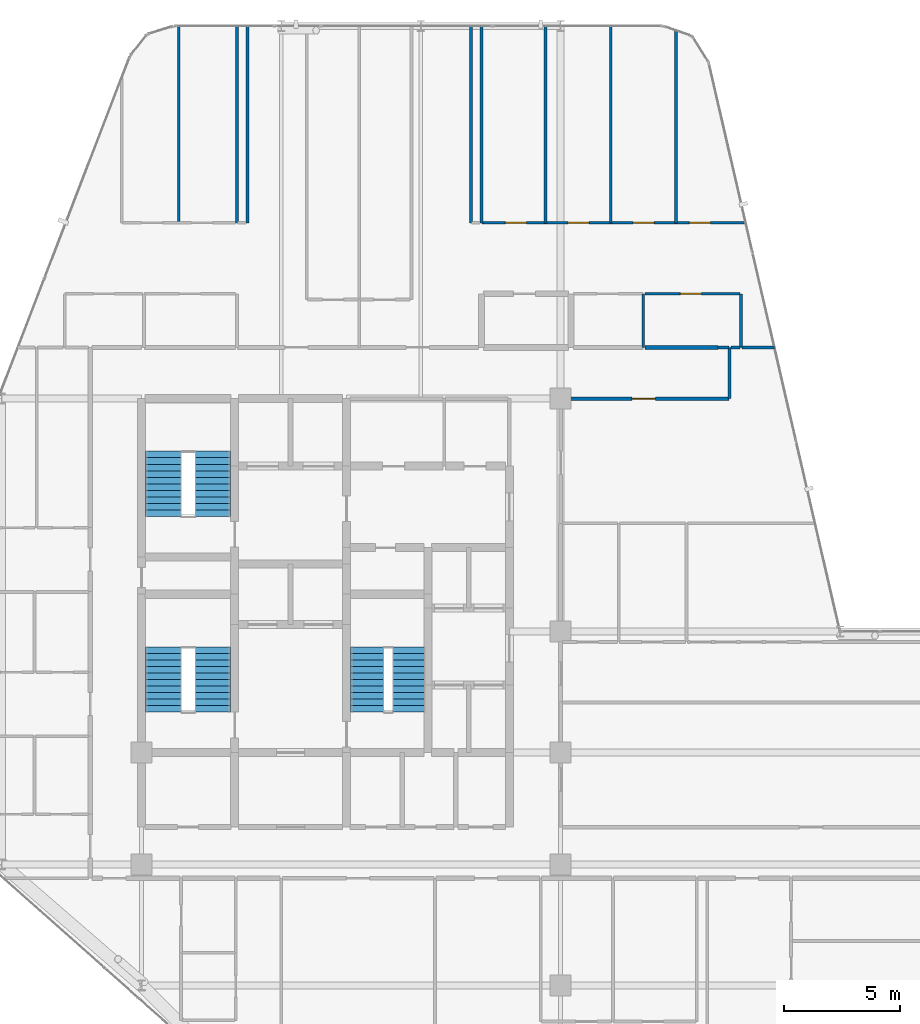
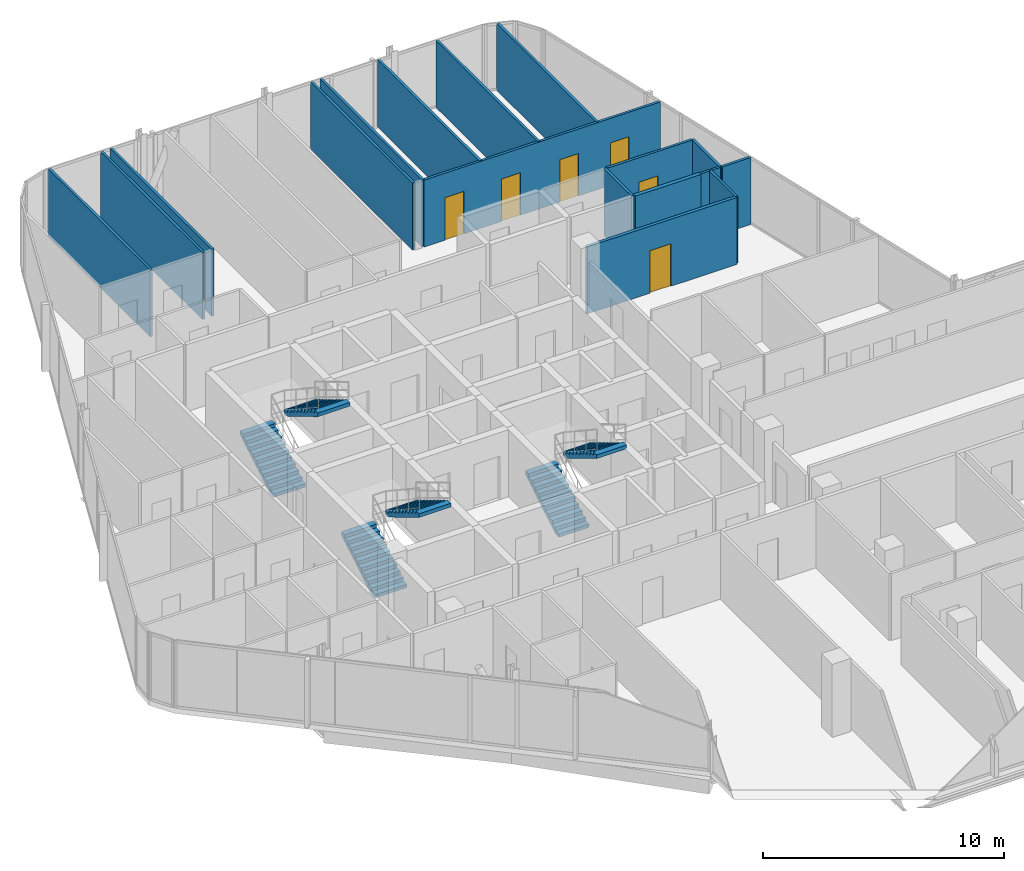
# One storey, part 28 of 29: 18 walls, 6 doors, 6 stair flights, 6 openings, 3 elements without a shape of their own.
"""IFC4 building model written with IfcOpenShell, lengths in metres."""

from ifc_helpers import new_model, si_unit, direction, frame, frame_2d, origin, place, context, subcontext, project, spatial, polyline, rectangle, outline, extrude, material, layer, layer_set, type_object, element, fill, aggregate, save


model = new_model("IFC4")

# Units and contexts
model_context = context("Model", 3, precision=1e-05, world=origin(), true_north=direction((0.0, 1.0)))
body_context = subcontext(model_context, "Body", "Model", "MODEL_VIEW")
ifc_project = project(units=[si_unit("LENGTHUNIT", "METRE"), si_unit("AREAUNIT", "SQUARE_METRE"), si_unit("VOLUMEUNIT", "CUBIC_METRE"), si_unit("PLANEANGLEUNIT", "RADIAN"), si_unit("MASSUNIT", "GRAM", prefix="KILO")], contexts=[model_context])

# Site, building, storey
site_placement = place(None, origin())
site = spatial("IfcSite", under=ifc_project, at=site_placement, CompositionType="ELEMENT")
building_placement = place(site_placement, origin())
building = spatial("IfcBuilding", under=site, at=building_placement, Name="Keshet Zoharim Tower", CompositionType="ELEMENT")
storey_placement = place(building_placement, frame((0.0, 0.0, 203.199951171875)))
storey = spatial("IfcBuildingStorey", under=building, at=storey_placement, Name="L50", CompositionType="ELEMENT", Elevation=203.199951171875)

# Wall, opening, door
ifc_material_1 = material(Name="Gypsum Plasterboard", Category="gypsum")
ifc_layer_1 = layer(ifc_material_1, 0.14990234375)
ifc_layer_set_1 = layer_set([ifc_layer_1], Name="Gypsum Plasterboard")
wall_type_1 = type_object("IfcWallType", Name="WL-CLIN-150", PredefinedType="STANDARD", material=ifc_layer_set_1)
wall_1_placement = place(storey_placement, frame((33.06005859375, 37.89990234375, 0.0), z_axis=(0.0, 0.0, 1.0), x_axis=(1.0, 0.0, 0.0)))
wall_1 = element("IfcWall", 1, at=wall_1_placement, inside=storey, type_object=wall_type_1, Name="L50 Interior Wall 171", PredefinedType="STANDARD", context=body_context, shape_type="SweptSolid", body=[
    extrude(rectangle(XDim=7.1640625, YDim=0.14990234375, at=frame_2d((3.58203125, 0.0))), origin(), (0.0, 0.0, 1.0), 3.39013671875),
])
opening_1_placement = place(wall_1_placement, frame((3.00390625, 0.0, 0.0)))
opening_1 = element("IfcOpeningElement", 2, at=opening_1_placement, cuts=wall_1, Name="Opening D-F310", PredefinedType="OPENING", context=body_context, shape_type="SweptSolid", body=[
    extrude(rectangle(XDim=1.0, YDim=2.14990234375, at=frame_2d((0.5, 1.074951171875))), frame((0.0, 0.0849609375, 0.0), z_axis=(0.0, -1.0, 0.0), x_axis=(1.0, 0.0, 0.0)), (0.0, 0.0, 1.0), 0.169921875),
])
ifc_material_2 = material(Name="Hardwood Timber", Category="wood")
door_type_1 = type_object("IfcDoorType", Name="DR-FD30-100", OperationType="NOTDEFINED", PredefinedType="DOOR", material=ifc_material_2)
door_1_placement = place(opening_1_placement, origin())
door_1 = element("IfcDoor", 3, at=door_1_placement, inside=storey, type_object=door_type_1, Name="L50 North West Residents Services Suite Door 1", OperationType="SINGLE_SWING_LEFT", OverallHeight=2.14990234375, OverallWidth=1.0, PredefinedType="DOOR", context=body_context, shape_type="SweptSolid", body=[
    extrude(rectangle(XDim=1.0, YDim=2.14990234375, at=frame_2d((0.5, 1.074951171875))), frame((0.0, 0.02490234375, 0.0), z_axis=(0.0, -1.0, 0.0), x_axis=(1.0, 0.0, 0.0)), (0.0, 0.0, 1.0), 0.050048828125),
])
fill(opening_1, door_1)

# Walls
ifc_layer_2 = layer(ifc_material_1, 0.179931640625)
ifc_layer_set_2 = layer_set([ifc_layer_2], Name="Gypsum Plasterboard")
wall_type_2 = type_object("IfcWallType", Name="WL-CORR-180", PredefinedType="STANDARD", material=ifc_layer_set_2)
wall_2_placement = place(storey_placement, frame((36.618896484375, 40.10009765625, 0.0), z_axis=(0.0, 0.0, 1.0), x_axis=(1.0, 0.0, 0.0)))
element("IfcWall", 4, at=wall_2_placement, inside=storey, type_object=wall_type_2, Name="L50 Interior Wall 180", PredefinedType="STANDARD", context=body_context, shape_type="SweptSolid", body=[
    extrude(rectangle(XDim=3.14404296875, YDim=0.179931640625, at=frame_2d((1.572021484375, 0.0))), origin(), (0.0, 0.0, 1.0), 3.39013671875),
])
ifc_layer_3 = layer(ifc_material_1, 0.1201171875)
ifc_layer_set_3 = layer_set([ifc_layer_3], Name="Gypsum Plasterboard")
wall_type_3 = type_object("IfcWallType", Name="WL-PART-120", PredefinedType="PARTITIONING", material=ifc_layer_set_3)
for number, where, z_axis, x_axis, name in (
    (5, (16.60009765625, 45.449951171875, 0.0), (0.0, 0.0, 1.0), (0.0, 1.0, 0.0), "L50 Interior Wall 020"),
    (6, (19.10009765625, 45.449951171875, 0.0), (0.0, 0.0, 1.0), (0.0, 1.0, 0.0), "L50 Interior Wall 031"),
    (7, (19.550048828125, 45.449951171875, 0.0), (0.0, 0.0, 1.0), (0.0, 1.0, 0.0), "L50 Interior Wall 032"),
    (8, (29.14990234375, 45.449951171875, 0.0), (0.0, 0.0, 1.0), (0.0, 1.0, 0.0), "L50 Interior Wall 057"),
    (9, (29.60009765625, 45.449951171875, 0.0), (0.0, 0.0, 1.0), (0.0, 1.0, 0.0), "L50 Interior Wall 059"),
    (10, (32.35009765625, 45.449951171875, 0.0), (0.0, 0.0, 1.0), (0.0, 1.0, 0.0), "L50 Interior Wall 069"),
    (11, (35.14990234375, 45.449951171875, 0.0), (0.0, 0.0, 1.0), (0.0, 1.0, 0.0), "L50 Interior Wall 075"),
):
    element("IfcWall", number, at=place(storey_placement, frame(where, z_axis=z_axis, x_axis=x_axis)), inside=storey, type_object=wall_type_3, Name=name, PredefinedType="PARTITIONING", context=body_context, shape_type="SweptSolid", body=[
        extrude(rectangle(XDim=8.43994140625, YDim=0.1201171875, at=frame_2d((4.219970703125, 0.0))), origin(), (0.0, 0.0, 1.0), 3.39013671875),
    ])
wall_3_placement = place(storey_placement, frame((37.949951171875, 45.449951171875, 0.0), z_axis=(0.0, 0.0, 1.0), x_axis=(0.0, 1.0, 0.0)))
element("IfcWall", 12, at=wall_3_placement, inside=storey, type_object=wall_type_3, Name="L50 Interior Wall 080", PredefinedType="PARTITIONING", context=body_context, shape_type="SweptSolid", body=[
    extrude(rectangle(XDim=8.2509765625, YDim=0.1201171875, at=frame_2d((4.12548828125, 0.0))), origin(), (0.0, 0.0, 1.0), 3.39013671875),
])
wall_4_placement = place(storey_placement, frame((40.25, 37.89990234375, 0.0), z_axis=(0.0, 0.0, 1.0), x_axis=(0.0, 1.0, 0.0)))
element("IfcWall", 13, at=wall_4_placement, inside=storey, type_object=wall_type_3, Name="L50 Interior Wall 085", PredefinedType="PARTITIONING", context=body_context, shape_type="SweptSolid", body=[
    extrude(rectangle(XDim=2.2001953125, YDim=0.1201171875, at=frame_2d((1.10009765625, 0.0))), origin(), (0.0, 0.0, 1.0), 3.39013671875),
])
wall_5_placement = place(storey_placement, frame((40.75, 40.10009765625, 0.0), z_axis=(0.0, 0.0, 1.0), x_axis=(0.0, 1.0, 0.0)))
element("IfcWall", 14, at=wall_5_placement, inside=storey, type_object=wall_type_3, Name="L50 Interior Wall 086", PredefinedType="PARTITIONING", context=body_context, shape_type="SweptSolid", body=[
    extrude(rectangle(XDim=2.2998046875, YDim=0.1201171875, at=frame_2d((1.14990234375, 0.0))), origin(), (0.0, 0.0, 1.0), 3.39013671875),
])
wall_6_placement = place(storey_placement, frame((39.762939453125, 40.10009765625, 0.0), z_axis=(0.0, 0.0, 1.0), x_axis=(1.0, 0.0, 0.0)))
element("IfcWall", 15, at=wall_6_placement, inside=storey, type_object=wall_type_3, Name="L50 Interior Wall 181", PredefinedType="PARTITIONING", context=body_context, shape_type="SweptSolid", body=[
    extrude(rectangle(XDim=0.462158203125, YDim=0.1201171875, at=frame_2d((0.23095703125, 0.0))), origin(), (0.0, 0.0, 1.0), 3.39013671875),
])
wall_7_placement = place(storey_placement, frame((40.31494140625, 40.10009765625, 0.0), z_axis=(0.0, 0.0, 1.0), x_axis=(1.0, 0.0, 0.0)))
element("IfcWall", 16, at=wall_7_placement, inside=storey, type_object=wall_type_3, Name="L50 Interior Wall 182", PredefinedType="PARTITIONING", context=body_context, shape_type="SweptSolid", body=[
    extrude(rectangle(XDim=0.39208984375, YDim=0.1201171875, at=frame_2d((0.196044921875, 0.0))), origin(), (0.0, 0.0, 1.0), 3.39013671875),
])
wall_8_placement = place(storey_placement, frame((40.797119140625, 40.10009765625, 0.0), z_axis=(0.0, 0.0, 1.0), x_axis=(1.0, 0.0, 0.0)))
element("IfcWall", 17, at=wall_8_placement, inside=storey, type_object=wall_type_3, Name="L50 Interior Wall 183", PredefinedType="PARTITIONING", context=body_context, shape_type="SweptSolid", body=[
    extrude(rectangle(XDim=1.3779296875, YDim=0.1201171875, at=frame_2d((0.68896484375, 0.0))), origin(), (0.0, 0.0, 1.0), 3.39013671875),
])

# Wall, opening, door
wall_9_placement = place(storey_placement, frame((36.618896484375, 42.39990234375, 0.0), z_axis=(0.0, 0.0, 1.0), x_axis=(1.0, 0.0, 0.0)))
wall_9 = element("IfcWall", 18, at=wall_9_placement, inside=storey, type_object=wall_type_3, Name="L50 Interior Wall 189", PredefinedType="PARTITIONING", context=body_context, shape_type="SweptSolid", body=[
    extrude(rectangle(XDim=4.088134765625, YDim=0.1201171875, at=frame_2d((2.0439453125, 0.0))), origin(), (0.0, 0.0, 1.0), 3.39013671875),
])
opening_2_placement = place(wall_9_placement, frame((1.52099609375, 0.0, 0.0)))
opening_2 = element("IfcOpeningElement", 19, at=opening_2_placement, cuts=wall_9, Name="Opening D-IN90", PredefinedType="OPENING", context=body_context, shape_type="SweptSolid", body=[
    extrude(rectangle(XDim=0.89990234375, YDim=2.14990234375, at=frame_2d((0.449951171875, 1.074951171875))), frame((0.0, 0.070068359375, 0.0), z_axis=(0.0, -1.0, 0.0), x_axis=(1.0, 0.0, 0.0)), (0.0, 0.0, 1.0), 0.14013671875),
])
door_type_2 = type_object("IfcDoorType", Name="DR-INT-090", OperationType="NOTDEFINED", PredefinedType="DOOR", material=ifc_material_2)
door_2_placement = place(opening_2_placement, origin())
door_2 = element("IfcDoor", 20, at=door_2_placement, inside=storey, type_object=door_type_2, Name="Apartment 5006 Kitchen Door", OperationType="SINGLE_SWING_RIGHT", OverallHeight=2.14990234375, OverallWidth=0.89990234375, PredefinedType="DOOR", context=body_context, shape_type="SweptSolid", body=[
    extrude(rectangle(XDim=0.89990234375, YDim=2.14990234375, at=frame_2d((0.449951171875, 1.074951171875))), frame((0.0, 0.02490234375, 0.0), z_axis=(0.0, -1.0, 0.0), x_axis=(1.0, 0.0, 0.0)), (0.0, 0.0, 1.0), 0.050048828125),
])
fill(opening_2, door_2)

# Wall, openings, doors
wall_10_placement = place(storey_placement, frame((29.625, 45.449951171875, 0.0), z_axis=(0.0, 0.0, 1.0), x_axis=(1.0, 0.0, 0.0)))
wall_10 = element("IfcWall", 21, at=wall_10_placement, inside=storey, type_object=wall_type_3, Name="L50 Interior Wall 193", PredefinedType="PARTITIONING", context=body_context, shape_type="SweptSolid", body=[
    extrude(rectangle(XDim=11.31494140625, YDim=0.1201171875, at=frame_2d((5.657470703125, 0.0))), origin(), (0.0, 0.0, 1.0), 3.39013671875),
])
opening_3_placement = place(wall_10_placement, frame((1.0029296875, 0.0, 0.0)))
opening_3 = element("IfcOpeningElement", 22, at=opening_3_placement, cuts=wall_10, Name="Opening D-IN90", PredefinedType="OPENING", context=body_context, shape_type="SweptSolid", body=[
    extrude(rectangle(XDim=0.89990234375, YDim=2.14990234375, at=frame_2d((0.449951171875, 1.074951171875))), frame((0.0, 0.070068359375, 0.0), z_axis=(0.0, -1.0, 0.0), x_axis=(1.0, 0.0, 0.0)), (0.0, 0.0, 1.0), 0.14013671875),
])
opening_4_placement = place(wall_10_placement, frame((3.695068359375, 0.0, 0.0)))
opening_4 = element("IfcOpeningElement", 23, at=opening_4_placement, cuts=wall_10, Name="Opening D-IN90", PredefinedType="OPENING", context=body_context, shape_type="SweptSolid", body=[
    extrude(rectangle(XDim=0.89990234375, YDim=2.14990234375, at=frame_2d((0.449951171875, 1.074951171875))), frame((0.0, 0.070068359375, 0.0), z_axis=(0.0, -1.0, 0.0), x_axis=(1.0, 0.0, 0.0)), (0.0, 0.0, 1.0), 0.14013671875),
])
opening_5_placement = place(wall_10_placement, frame((6.487060546875, 0.0, 0.0)))
opening_5 = element("IfcOpeningElement", 24, at=opening_5_placement, cuts=wall_10, Name="Opening D-IN90", PredefinedType="OPENING", context=body_context, shape_type="SweptSolid", body=[
    extrude(rectangle(XDim=0.89990234375, YDim=2.14990234375, at=frame_2d((0.449951171875, 1.074951171875))), frame((0.0, 0.070068359375, 0.0), z_axis=(0.0, -1.0, 0.0), x_axis=(1.0, 0.0, 0.0)), (0.0, 0.0, 1.0), 0.14013671875),
])
opening_6_placement = place(wall_10_placement, frame((8.902099609375, 0.0, 0.0)))
opening_6 = element("IfcOpeningElement", 25, at=opening_6_placement, cuts=wall_10, Name="Opening D-IN90", PredefinedType="OPENING", context=body_context, shape_type="SweptSolid", body=[
    extrude(rectangle(XDim=0.89990234375, YDim=2.14990234375, at=frame_2d((0.449951171875, 1.074951171875))), frame((0.0, 0.070068359375, 0.0), z_axis=(0.0, -1.0, 0.0), x_axis=(1.0, 0.0, 0.0)), (0.0, 0.0, 1.0), 0.14013671875),
])
door_3_placement = place(opening_3_placement, origin())
door_3 = element("IfcDoor", 26, at=door_3_placement, inside=storey, type_object=door_type_2, Name="Apartment 5006 Bedroom 1 Door", OperationType="SINGLE_SWING_LEFT", OverallHeight=2.14990234375, OverallWidth=0.89990234375, PredefinedType="DOOR", context=body_context, shape_type="SweptSolid", body=[
    extrude(rectangle(XDim=0.89990234375, YDim=2.14990234375, at=frame_2d((0.449951171875, 1.074951171875))), frame((0.0, 0.02490234375, 0.0), z_axis=(0.0, -1.0, 0.0), x_axis=(1.0, 0.0, 0.0)), (0.0, 0.0, 1.0), 0.050048828125),
])
fill(opening_3, door_3)
door_4_placement = place(opening_4_placement, origin())
door_4 = element("IfcDoor", 27, at=door_4_placement, inside=storey, type_object=door_type_2, Name="Apartment 5006 Bedroom 2 Door", OperationType="SINGLE_SWING_RIGHT", OverallHeight=2.14990234375, OverallWidth=0.89990234375, PredefinedType="DOOR", context=body_context, shape_type="SweptSolid", body=[
    extrude(rectangle(XDim=0.89990234375, YDim=2.14990234375, at=frame_2d((0.449951171875, 1.074951171875))), frame((0.0, 0.02490234375, 0.0), z_axis=(0.0, -1.0, 0.0), x_axis=(1.0, 0.0, 0.0)), (0.0, 0.0, 1.0), 0.050048828125),
])
fill(opening_4, door_4)
door_5_placement = place(opening_5_placement, origin())
door_5 = element("IfcDoor", 28, at=door_5_placement, inside=storey, type_object=door_type_2, Name="Apartment 5006 Bedroom 3 Door", OperationType="SINGLE_SWING_LEFT", OverallHeight=2.14990234375, OverallWidth=0.89990234375, PredefinedType="DOOR", context=body_context, shape_type="SweptSolid", body=[
    extrude(rectangle(XDim=0.89990234375, YDim=2.14990234375, at=frame_2d((0.449951171875, 1.074951171875))), frame((0.0, 0.02490234375, 0.0), z_axis=(0.0, -1.0, 0.0), x_axis=(1.0, 0.0, 0.0)), (0.0, 0.0, 1.0), 0.050048828125),
])
fill(opening_5, door_5)
door_6_placement = place(opening_6_placement, origin())
door_6 = element("IfcDoor", 29, at=door_6_placement, inside=storey, type_object=door_type_2, Name="Apartment 5006 Bedroom 4 Door", OperationType="SINGLE_SWING_RIGHT", OverallHeight=2.14990234375, OverallWidth=0.89990234375, PredefinedType="DOOR", context=body_context, shape_type="SweptSolid", body=[
    extrude(rectangle(XDim=0.89990234375, YDim=2.14990234375, at=frame_2d((0.449951171875, 1.074951171875))), frame((0.0, 0.02490234375, 0.0), z_axis=(0.0, -1.0, 0.0), x_axis=(1.0, 0.0, 0.0)), (0.0, 0.0, 1.0), 0.050048828125),
])
fill(opening_6, door_6)

# Wall
ifc_layer_4 = layer(ifc_material_1, 0.1201171875)
ifc_layer_set_4 = layer_set([ifc_layer_4], Name="Gypsum Plasterboard")
wall_type_4 = type_object("IfcWallType", Name="WL-WET-120", PredefinedType="PARTITIONING", material=ifc_layer_set_4)
wall_11_placement = place(storey_placement, frame((36.550048828125, 40.10009765625, 0.0), z_axis=(0.0, 0.0, 1.0), x_axis=(0.0, 1.0, 0.0)))
element("IfcWall", 30, at=wall_11_placement, inside=storey, type_object=wall_type_4, Name="L50 Interior Wall 079", PredefinedType="PARTITIONING", context=body_context, shape_type="SweptSolid", body=[
    extrude(rectangle(XDim=2.2998046875, YDim=0.1201171875, at=frame_2d((1.14990234375, 0.0))), origin(), (0.0, 0.0, 1.0), 3.39013671875),
])

# Stair, stair flights
ifc_material_3 = material(Name="Concrete C50/60", Category="concrete")
stair_type = type_object("IfcStairType", Name="STR-EXIT-135", PredefinedType="HALF_TURN_STAIR", material=ifc_material_3)
stair_1_placement = place(storey_placement, origin())
stair_1 = element("IfcStair", 31, at=stair_1_placement, inside=storey, type_object=stair_type, Name="L50 Enclosed Exit Stair ST-01", PredefinedType="HALF_TURN_STAIR")
stair_flight_type_1 = type_object("IfcStairFlightType", Name="FLT-PRE-135", PredefinedType="STRAIGHT", material=ifc_material_3)
stair_flight_1_placement = place(storey_placement, frame((15.945068359375, 24.43994140625, 0.0), z_axis=(0.0, 0.0, 1.0), x_axis=(0.0, 1.0, 0.0)))
stair_flight_1 = element("IfcStairFlight", 32, at=stair_flight_1_placement, type_object=stair_flight_type_1, Name="ST-01 flight 1", NumberOfRisers=11, NumberOfTreads=10, PredefinedType="STRAIGHT", RiserHeight=0.168182, TreadLength=0.28, context=body_context, shape_type="SweptSolid", body=[
    extrude(outline(polyline([(0.0, 0.0), (0.0, 0.168212890625), (0.280029296875, 0.168212890625), (0.280029296875, 0.33642578125), (0.56005859375, 0.33642578125), (0.56005859375, 0.504638671875), (0.840087890625, 0.504638671875), (0.840087890625, 0.672607421875), (1.1201171875, 0.672607421875), (1.1201171875, 0.8408203125), (1.39990234375, 0.8408203125), (1.39990234375, 1.009033203125), (1.679931640625, 1.009033203125), (1.679931640625, 1.17724609375), (1.9599609375, 1.17724609375), (1.9599609375, 1.345458984375), (2.239990234375, 1.345458984375), (2.239990234375, 1.513671875), (2.52001953125, 1.513671875), (2.52001953125, 1.681884765625), (2.800048828125, 1.681884765625), (2.800048828125, 1.85009765625), (2.800048828125, 1.495361328125), (0.310546875, 0.0), (0.0, 0.0)])), frame((0.0, 0.76513671875, 0.0), z_axis=(0.0, -1.0, 0.0), x_axis=(1.0, 0.0, 0.0)), (0.0, 0.0, 1.0), 1.530029296875),
])
stair_flight_2_placement = place(storey_placement, frame((18.054931640625, 27.239990234375, 1.85009765625), z_axis=(0.0, 0.0, 1.0), x_axis=(0.0, -1.0, 0.0)))
stair_flight_2 = element("IfcStairFlight", 33, at=stair_flight_2_placement, type_object=stair_flight_type_1, Name="ST-01 flight 2", NumberOfRisers=11, NumberOfTreads=10, PredefinedType="STRAIGHT", RiserHeight=0.168182, TreadLength=0.28, context=body_context, shape_type="SweptSolid", body=[
    extrude(outline(polyline([(0.0, 0.0), (0.0, 0.168212890625), (0.280029296875, 0.168212890625), (0.280029296875, 0.33642578125), (0.56005859375, 0.33642578125), (0.56005859375, 0.504638671875), (0.840087890625, 0.504638671875), (0.840087890625, 0.672607421875), (1.1201171875, 0.672607421875), (1.1201171875, 0.8408203125), (1.39990234375, 0.8408203125), (1.39990234375, 1.009033203125), (1.679931640625, 1.009033203125), (1.679931640625, 1.17724609375), (1.9599609375, 1.17724609375), (1.9599609375, 1.345458984375), (2.239990234375, 1.345458984375), (2.239990234375, 1.513671875), (2.52001953125, 1.513671875), (2.52001953125, 1.681884765625), (2.800048828125, 1.681884765625), (2.800048828125, 1.85009765625), (2.800048828125, 1.495361328125), (0.310546875, 0.0), (0.0, 0.0)])), frame((0.0, 0.76513671875, 0.0), z_axis=(0.0, -1.0, 0.0), x_axis=(1.0, 0.0, 0.0)), (0.0, 0.0, 1.0), 1.530029296875),
])
aggregate(stair_1, [stair_flight_1, stair_flight_2])

stair_2_placement = place(storey_placement, origin())
stair_2 = element("IfcStair", 34, at=stair_2_placement, inside=storey, type_object=stair_type, Name="L50 Enclosed Exit Stair ST-02", PredefinedType="HALF_TURN_STAIR")
stair_flight_3_placement = place(storey_placement, frame((15.945068359375, 32.840087890625, 0.0), z_axis=(0.0, 0.0, 1.0), x_axis=(0.0, 1.0, 0.0)))
stair_flight_3 = element("IfcStairFlight", 35, at=stair_flight_3_placement, type_object=stair_flight_type_1, Name="ST-02 flight 1", NumberOfRisers=11, NumberOfTreads=10, PredefinedType="STRAIGHT", RiserHeight=0.168182, TreadLength=0.28, context=body_context, shape_type="SweptSolid", body=[
    extrude(outline(polyline([(0.0, 0.0), (0.0, 0.168212890625), (0.280029296875, 0.168212890625), (0.280029296875, 0.33642578125), (0.56005859375, 0.33642578125), (0.56005859375, 0.504638671875), (0.840087890625, 0.504638671875), (0.840087890625, 0.672607421875), (1.1201171875, 0.672607421875), (1.1201171875, 0.8408203125), (1.39990234375, 0.8408203125), (1.39990234375, 1.009033203125), (1.679931640625, 1.009033203125), (1.679931640625, 1.17724609375), (1.9599609375, 1.17724609375), (1.9599609375, 1.345458984375), (2.239990234375, 1.345458984375), (2.239990234375, 1.513671875), (2.52001953125, 1.513671875), (2.52001953125, 1.681884765625), (2.800048828125, 1.681884765625), (2.800048828125, 1.85009765625), (2.800048828125, 1.495361328125), (0.310546875, 0.0), (0.0, 0.0)])), frame((0.0, 0.76513671875, 0.0), z_axis=(0.0, -1.0, 0.0), x_axis=(1.0, 0.0, 0.0)), (0.0, 0.0, 1.0), 1.530029296875),
])
stair_flight_4_placement = place(storey_placement, frame((18.054931640625, 35.639892578125, 1.85009765625), z_axis=(0.0, 0.0, 1.0), x_axis=(0.0, -1.0, 0.0)))
stair_flight_4 = element("IfcStairFlight", 36, at=stair_flight_4_placement, type_object=stair_flight_type_1, Name="ST-02 flight 2", NumberOfRisers=11, NumberOfTreads=10, PredefinedType="STRAIGHT", RiserHeight=0.168182, TreadLength=0.28, context=body_context, shape_type="SweptSolid", body=[
    extrude(outline(polyline([(0.0, 0.0), (0.0, 0.168212890625), (0.280029296875, 0.168212890625), (0.280029296875, 0.33642578125), (0.56005859375, 0.33642578125), (0.56005859375, 0.504638671875), (0.840087890625, 0.504638671875), (0.840087890625, 0.672607421875), (1.1201171875, 0.672607421875), (1.1201171875, 0.8408203125), (1.39990234375, 0.8408203125), (1.39990234375, 1.009033203125), (1.679931640625, 1.009033203125), (1.679931640625, 1.17724609375), (1.9599609375, 1.17724609375), (1.9599609375, 1.345458984375), (2.239990234375, 1.345458984375), (2.239990234375, 1.513671875), (2.52001953125, 1.513671875), (2.52001953125, 1.681884765625), (2.800048828125, 1.681884765625), (2.800048828125, 1.85009765625), (2.800048828125, 1.495361328125), (0.310546875, 0.0), (0.0, 0.0)])), frame((0.0, 0.76513671875, 0.0), z_axis=(0.0, -1.0, 0.0), x_axis=(1.0, 0.0, 0.0)), (0.0, 0.0, 1.0), 1.530029296875),
])
aggregate(stair_2, [stair_flight_3, stair_flight_4])

stair_3_placement = place(storey_placement, origin())
stair_3 = element("IfcStair", 37, at=stair_3_placement, inside=storey, type_object=stair_type, Name="L50 Enclosed Exit Stair ST-03", PredefinedType="HALF_TURN_STAIR")
stair_flight_type_2 = type_object("IfcStairFlightType", Name="FLT-PRE-144", PredefinedType="STRAIGHT", material=ifc_material_3)
stair_flight_5_placement = place(storey_placement, frame((24.699951171875, 24.43994140625, 0.0), z_axis=(0.0, 0.0, 1.0), x_axis=(0.0, 1.0, 0.0)))
stair_flight_5 = element("IfcStairFlight", 38, at=stair_flight_5_placement, type_object=stair_flight_type_2, Name="ST-03 flight 1", NumberOfRisers=11, NumberOfTreads=10, PredefinedType="STRAIGHT", RiserHeight=0.168182, TreadLength=0.28, context=body_context, shape_type="SweptSolid", body=[
    extrude(outline(polyline([(0.0, 0.0), (0.0, 0.168212890625), (0.280029296875, 0.168212890625), (0.280029296875, 0.33642578125), (0.56005859375, 0.33642578125), (0.56005859375, 0.504638671875), (0.840087890625, 0.504638671875), (0.840087890625, 0.672607421875), (1.1201171875, 0.672607421875), (1.1201171875, 0.8408203125), (1.39990234375, 0.8408203125), (1.39990234375, 1.009033203125), (1.679931640625, 1.009033203125), (1.679931640625, 1.17724609375), (1.9599609375, 1.17724609375), (1.9599609375, 1.345458984375), (2.239990234375, 1.345458984375), (2.239990234375, 1.513671875), (2.52001953125, 1.513671875), (2.52001953125, 1.681884765625), (2.800048828125, 1.681884765625), (2.800048828125, 1.85009765625), (2.800048828125, 1.495361328125), (0.310546875, 0.0), (0.0, 0.0)])), frame((0.0, 0.719970703125, 0.0), z_axis=(0.0, -1.0, 0.0), x_axis=(1.0, 0.0, 0.0)), (0.0, 0.0, 1.0), 1.43994140625),
])
stair_flight_6_placement = place(storey_placement, frame((26.5, 27.239990234375, 1.85009765625), z_axis=(0.0, 0.0, 1.0), x_axis=(0.0, -1.0, 0.0)))
stair_flight_6 = element("IfcStairFlight", 39, at=stair_flight_6_placement, type_object=stair_flight_type_2, Name="ST-03 flight 2", NumberOfRisers=11, NumberOfTreads=10, PredefinedType="STRAIGHT", RiserHeight=0.168182, TreadLength=0.28, context=body_context, shape_type="SweptSolid", body=[
    extrude(outline(polyline([(0.0, 0.0), (0.0, 0.168212890625), (0.280029296875, 0.168212890625), (0.280029296875, 0.33642578125), (0.56005859375, 0.33642578125), (0.56005859375, 0.504638671875), (0.840087890625, 0.504638671875), (0.840087890625, 0.672607421875), (1.1201171875, 0.672607421875), (1.1201171875, 0.8408203125), (1.39990234375, 0.8408203125), (1.39990234375, 1.009033203125), (1.679931640625, 1.009033203125), (1.679931640625, 1.17724609375), (1.9599609375, 1.17724609375), (1.9599609375, 1.345458984375), (2.239990234375, 1.345458984375), (2.239990234375, 1.513671875), (2.52001953125, 1.513671875), (2.52001953125, 1.681884765625), (2.800048828125, 1.681884765625), (2.800048828125, 1.85009765625), (2.800048828125, 1.495361328125), (0.310546875, 0.0), (0.0, 0.0)])), frame((0.0, 0.719970703125, 0.0), z_axis=(0.0, -1.0, 0.0), x_axis=(1.0, 0.0, 0.0)), (0.0, 0.0, 1.0), 1.43994140625),
])
aggregate(stair_3, [stair_flight_5, stair_flight_6])

save(model, "model.ifc")
